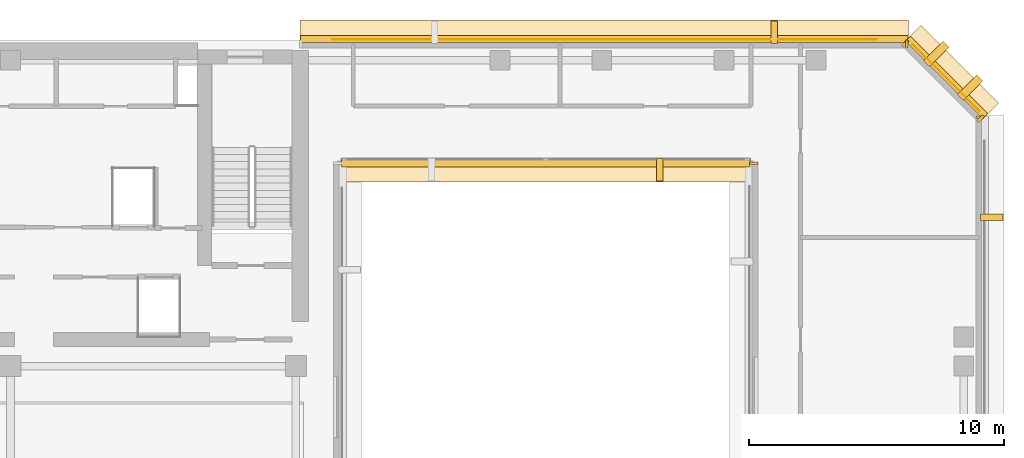
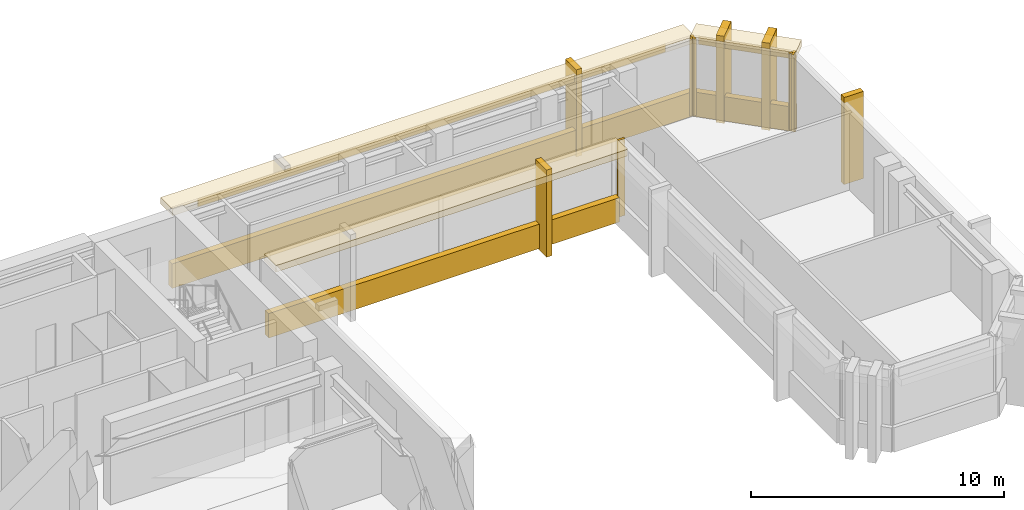
# One storey, part 11 of 11: 18 coverings.
"""IFC4 building model written with IfcOpenShell, lengths in metres."""

from ifc_helpers import new_model, si_unit, direction, frame, origin, origin_2d, place, context, subcontext, project, spatial, rectangle, extrude, material, layer, layer_set, type_object, element, save


model = new_model("IFC4")

# Units and contexts
model_context = context("Model", 3, precision=1e-05, world=origin(), true_north=direction((0.0, 1.0)))
body_context = subcontext(model_context, "Body", "Model", "MODEL_VIEW")
ifc_project = project(units=[si_unit("LENGTHUNIT", "METRE"), si_unit("AREAUNIT", "SQUARE_METRE"), si_unit("VOLUMEUNIT", "CUBIC_METRE"), si_unit("PLANEANGLEUNIT", "RADIAN"), si_unit("MASSUNIT", "GRAM", prefix="KILO")], contexts=[model_context])

# Site, building, storey
site_placement = place(None, origin())
site = spatial("IfcSite", under=ifc_project, at=site_placement, CompositionType="ELEMENT")
building_placement = place(site_placement, origin())
building = spatial("IfcBuilding", under=site, at=building_placement, Name="Kefirva Bronze Tower", CompositionType="ELEMENT")
storey_placement = place(building_placement, frame((0.0, 0.0, 223.739990234375)))
storey = spatial("IfcBuildingStorey", under=building, at=storey_placement, Name="L54", CompositionType="ELEMENT", Elevation=223.739990234375)

# Coverings
ifc_material = material(Name="Bronze anodised aluminium", Category="aluminium")
ifc_layer_1 = layer(ifc_material, 0.02001953125, Name="Bronze anodised aluminium")
ifc_layer_set_1 = layer_set([ifc_layer_1], Name="Bronze anodised aluminium")
covering_type_1 = type_object("IfcCoveringType", Name="Anodised Bronze Spandrel Cladding 20mm", PredefinedType="CLADDING", material=ifc_layer_set_1)
covering_1_placement = place(storey_placement, frame((33.0, 41.159912109375, -0.16015625), z_axis=(0.0, 0.0, 1.0), x_axis=(1.0, 0.0, 0.0)))
element("IfcCovering", 1, at=covering_1_placement, inside=storey, type_object=covering_type_1, Name="L54 Streamline Horizontal Spandrel Band 6", PredefinedType="CLADDING", context=body_context, shape_type="SweptSolid", body=[
    extrude(rectangle(XDim=16.0400390625, YDim=0.280029296875, at=origin_2d()), origin(), (0.0, 0.0, 1.0), 1.179931640625),
])
for number, where, z_axis, x_axis, name in (
    (2, (41.159912109375, 41.1650390625, 0.0), (0.0, 0.0, 1.0), (0.0, -1.0, 0.0), "L54 Facade Joint Closure Panel 5S"),
    (3, (50.0400390625, 42.965087890625, 0.0), (0.0, 0.0, 1.0), (0.0, 1.0, 0.0), "L54 Facade Joint Closure Panel 9E"),
):
    element("IfcCovering", number, at=place(storey_placement, frame(where, z_axis=z_axis, x_axis=x_axis)), inside=storey, type_object=covering_type_1, Name=name, PredefinedType="CLADDING", context=body_context, shape_type="SweptSolid", body=[
        extrude(rectangle(XDim=0.10009765625, YDim=0.320068359375, at=origin_2d()), origin(), (0.0, 0.0, 1.0), 3.7099609375),
    ])
covering_2_placement = place(storey_placement, frame((48.70703125, 44.507080078125, 3.2900390625), z_axis=(0.0, 0.0, 1.0), x_axis=(-0.707106781187, 0.707106781187, 0.0)))
element("IfcCovering", 4, at=covering_2_placement, inside=storey, type_object=covering_type_1, Name="L54 Bronze Spandrel Cladding 10", PredefinedType="CLADDING", context=body_context, shape_type="SweptSolid", body=[
    extrude(rectangle(XDim=3.719482421875, YDim=0.02001953125, at=origin_2d()), origin(), (0.0, 0.0, 1.0), 0.39990234375),
])
for number, where, z_axis, x_axis, name in (
    (5, (50.06201171875, 42.91162109375, 0.0), (0.0, 0.0, 1.0), (-0.707106781187, 0.707106781187, 0.0), "L54 Facade Joint Closure Panel 10S"),
    (6, (47.11181640625, 45.862060546875, 0.0), (0.0, 0.0, 1.0), (-0.707106781187, 0.707106781187, 0.0), "L54 Facade Joint Closure Panel 10E"),
):
    element("IfcCovering", number, at=place(storey_placement, frame(where, z_axis=z_axis, x_axis=x_axis)), inside=storey, type_object=covering_type_1, Name=name, PredefinedType="CLADDING", context=body_context, shape_type="SweptSolid", body=[
        extrude(rectangle(XDim=0.10009765625, YDim=0.320068359375, at=origin_2d()), origin(), (0.0, 0.0, 1.0), 3.7099609375),
    ])
covering_3_placement = place(storey_placement, frame((48.728271484375, 44.5283203125, -0.16015625), z_axis=(0.0, 0.0, 1.0), x_axis=(-0.707106781187, 0.707106781187, 0.0)))
element("IfcCovering", 7, at=covering_3_placement, inside=storey, type_object=covering_type_1, Name="L54 Streamline Horizontal Spandrel Band 12", PredefinedType="CLADDING", context=body_context, shape_type="SweptSolid", body=[
    extrude(rectangle(XDim=4.28271484375, YDim=0.280029296875, at=origin_2d()), origin(), (0.0, 0.0, 1.0), 1.179931640625),
])
covering_4_placement = place(storey_placement, frame((35.302490234375, 46.010009765625, 3.2900390625), z_axis=(0.0, 0.0, 1.0), x_axis=(-1.0, 0.0, 0.0)))
element("IfcCovering", 8, at=covering_4_placement, inside=storey, type_object=covering_type_1, Name="L54 Bronze Spandrel Cladding 11", PredefinedType="CLADDING", context=body_context, shape_type="SweptSolid", body=[
    extrude(rectangle(XDim=21.365966796875, YDim=0.02001953125, at=origin_2d()), origin(), (0.0, 0.0, 1.0), 0.39990234375),
])
covering_5_placement = place(storey_placement, frame((47.1650390625, 45.840087890625, 0.0), z_axis=(0.0, 0.0, 1.0), x_axis=(-1.0, 0.0, 0.0)))
element("IfcCovering", 9, at=covering_5_placement, inside=storey, type_object=covering_type_1, Name="L54 Facade Joint Closure Panel 11S", PredefinedType="CLADDING", context=body_context, shape_type="SweptSolid", body=[
    extrude(rectangle(XDim=0.10009765625, YDim=0.320068359375, at=origin_2d()), origin(), (0.0, 0.0, 1.0), 3.7099609375),
])
covering_6_placement = place(storey_placement, frame((35.302490234375, 46.0400390625, -0.16015625), z_axis=(0.0, 0.0, 1.0), x_axis=(-1.0, 0.0, 0.0)))
element("IfcCovering", 10, at=covering_6_placement, inside=storey, type_object=covering_type_1, Name="L54 Streamline Horizontal Spandrel Band 13", PredefinedType="CLADDING", context=body_context, shape_type="SweptSolid", body=[
    extrude(rectangle(XDim=23.8349609375, YDim=0.280029296875, at=origin_2d()), origin(), (0.0, 0.0, 1.0), 1.179931640625),
])
ifc_layer_2 = layer(ifc_material, 0.179931640625, Name="Bronze anodised aluminium")
ifc_layer_set_2 = layer_set([ifc_layer_2], Name="Bronze anodised aluminium")
covering_type_2 = type_object("IfcCoveringType", Name="Streamline Bronze Sunshade Eyebrow Cladding 180mm", PredefinedType="CLADDING", material=ifc_layer_set_2)
covering_7_placement = place(storey_placement, frame((33.0, 40.889892578125, 3.39013671875), z_axis=(0.0, 0.0, 1.0), x_axis=(1.0, 0.0, 0.0)))
element("IfcCovering", 11, at=covering_7_placement, inside=storey, type_object=covering_type_2, Name="L54 Streamline Bronze Sunshade Eyebrow 6", PredefinedType="CLADDING", context=body_context, shape_type="SweptSolid", body=[
    extrude(rectangle(XDim=16.080078125, YDim=0.93994140625, at=origin_2d()), origin(), (0.0, 0.0, 1.0), 0.320068359375),
])
covering_8_placement = place(storey_placement, frame((48.919189453125, 44.71923828125, 3.39013671875), z_axis=(0.0, 0.0, 1.0), x_axis=(-0.707106781187, 0.707106781187, 0.0)))
element("IfcCovering", 12, at=covering_8_placement, inside=storey, type_object=covering_type_2, Name="L54 Streamline Bronze Sunshade Eyebrow 12", PredefinedType="CLADDING", context=body_context, shape_type="SweptSolid", body=[
    extrude(rectangle(XDim=4.322509765625, YDim=0.93994140625, at=origin_2d()), origin(), (0.0, 0.0, 1.0), 0.320068359375),
])
covering_9_placement = place(storey_placement, frame((35.302490234375, 46.31005859375, 3.39013671875), z_axis=(0.0, 0.0, 1.0), x_axis=(-1.0, 0.0, 0.0)))
element("IfcCovering", 13, at=covering_9_placement, inside=storey, type_object=covering_type_2, Name="L54 Streamline Bronze Sunshade Eyebrow 13", PredefinedType="CLADDING", context=body_context, shape_type="SweptSolid", body=[
    extrude(rectangle(XDim=23.875, YDim=0.93994140625, at=origin_2d()), origin(), (0.0, 0.0, 1.0), 0.320068359375),
])
ifc_layer_3 = layer(ifc_material, 0.260009765625, Name="Bronze anodised aluminium")
ifc_layer_set_3 = layer_set([ifc_layer_3], Name="Bronze anodised aluminium")
covering_type_3 = type_object("IfcCoveringType", Name="Unbroken Bronze Buttress Fin Cladding 260mm", PredefinedType="CLADDING", material=ifc_layer_set_3)
for number, where, z_axis, x_axis, name in (
    (14, (37.47998046875, 40.89990234375, -0.25), (0.0, 0.0, 1.0), (1.0, 0.0, 0.0), "L54 Unbroken Vertical Bronze Rib Fin 12"),
    (15, (50.5, 39.0400390625, -0.25), (0.0, 0.0, 1.0), (0.0, 1.0, 0.0), "L54 Unbroken Vertical Bronze Rib Fin 20"),
):
    element("IfcCovering", number, at=place(storey_placement, frame(where, z_axis=z_axis, x_axis=x_axis)), inside=storey, type_object=covering_type_3, Name=name, PredefinedType="CLADDING", context=body_context, shape_type="SweptSolid", body=[
        extrude(rectangle(XDim=0.260009765625, YDim=0.8798828125, at=origin_2d()), origin(), (0.0, 0.0, 1.0), 4.2099609375),
    ])
for number, where, z_axis, x_axis, name in (
    (16, (49.642822265625, 44.122802734375, -0.25), (0.0, 0.0, 1.0), (-0.707106781187, 0.707106781187, 0.0), "L54 Chamfered Corner Buttress Fin Cladding 21"),
    (17, (48.32275390625, 45.44287109375, -0.25), (0.0, 0.0, 1.0), (-0.707106781187, 0.707106781187, 0.0), "L54 Chamfered Corner Buttress Fin Cladding 22"),
):
    element("IfcCovering", number, at=place(storey_placement, frame(where, z_axis=z_axis, x_axis=x_axis)), inside=storey, type_object=covering_type_3, Name=name, PredefinedType="CLADDING", context=body_context, shape_type="SweptSolid", body=[
        extrude(rectangle(XDim=0.340087890625, YDim=1.080078125, at=origin_2d()), origin(), (0.0, 0.0, 1.0), 4.2099609375),
    ])
covering_10_placement = place(storey_placement, frame((41.965087890625, 46.300048828125, -0.25), z_axis=(0.0, 0.0, 1.0), x_axis=(-1.0, 0.0, 0.0)))
element("IfcCovering", 18, at=covering_10_placement, inside=storey, type_object=covering_type_3, Name="L54 Unbroken Vertical Bronze Rib Fin 23", PredefinedType="CLADDING", context=body_context, shape_type="SweptSolid", body=[
    extrude(rectangle(XDim=0.260009765625, YDim=0.8798828125, at=origin_2d()), origin(), (0.0, 0.0, 1.0), 4.2099609375),
])

save(model, "model.ifc")
